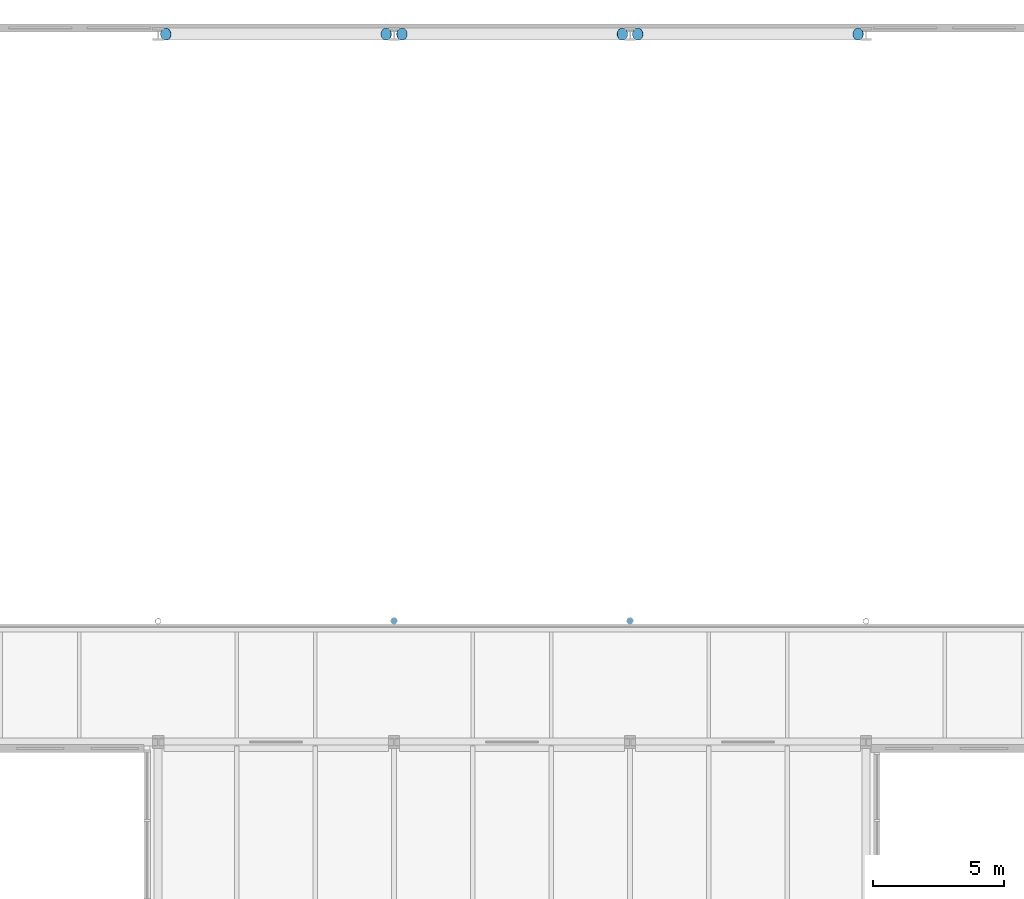
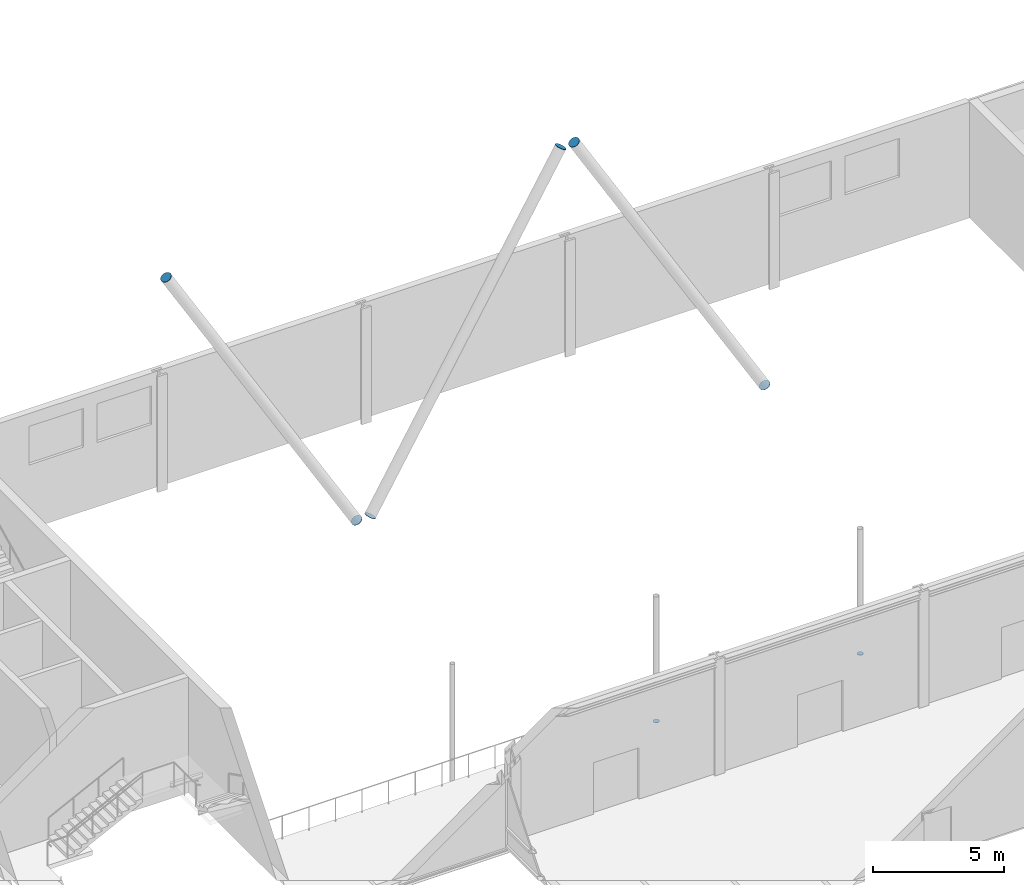
# One storey, part 41 of 46: 8 discrete accessories.
"""IFC4 building model written with IfcOpenShell, lengths in metres."""

from ifc_helpers import new_model, si_unit, direction, frame, origin, origin_2d, place, context, subcontext, project, spatial, circle, extrude, material, material_profile, profile_set, type_object, element, save


model = new_model("IFC4")

# Units and contexts
model_context = context("Model", 3, precision=1e-05, world=origin(), true_north=direction((0.0, 1.0)))
body_context = subcontext(model_context, "Body", "Model", "MODEL_VIEW")
ifc_project = project(units=[si_unit("LENGTHUNIT", "METRE"), si_unit("AREAUNIT", "SQUARE_METRE"), si_unit("VOLUMEUNIT", "CUBIC_METRE"), si_unit("PLANEANGLEUNIT", "RADIAN"), si_unit("MASSUNIT", "GRAM", prefix="KILO")], contexts=[model_context])

# Site, building, storey
site_placement = place(None, origin())
site = spatial("IfcSite", under=ifc_project, at=site_placement, CompositionType="ELEMENT")
building_placement = place(site_placement, origin())
building = spatial("IfcBuilding", under=site, at=building_placement, Name="Azimuth Sports and Learning Centre", CompositionType="ELEMENT")
storey_placement = place(building_placement, frame((0.0, 0.0, 21.60009765625)))
storey = spatial("IfcBuildingStorey", under=building, at=storey_placement, Name="L04", CompositionType="ELEMENT", Elevation=21.60009765625)

# Discrete accessories
ifc_material_1 = material(Name="Steel S355", Category="steel")
ifc_material_profile_1 = material_profile(ifc_material_1, circle(Radius=0.122314453125, at=origin_2d()), Name="PL 244 DISC")
ifc_profile_set_1 = profile_set([ifc_material_profile_1], Name="Steel S355")
discrete_accessory_type_1 = type_object("IfcDiscreteAccessoryType", Name="End plate CHS 244.5x12.5", PredefinedType="USERDEFINED", material=ifc_profile_set_1)
for number, where, z_axis, x_axis, name in (
    (1, (81.0, 94.622314453125, -0.4501953125), (0.0, 0.0, -1.0), (1.0, 0.0, 0.0), "End plate Gallery hanger TT-2"),
    (2, (90.0, 94.622314453125, -0.4501953125), (0.0, 0.0, -1.0), (1.0, 0.0, 0.0), "End plate Gallery hanger TT-3"),
):
    element("IfcDiscreteAccessory", number, at=place(storey_placement, frame(where, z_axis=z_axis, x_axis=x_axis)), inside=storey, type_object=discrete_accessory_type_1, Name=name, ObjectType="END PLATE", PredefinedType="USERDEFINED", context=body_context, shape_type="SweptSolid", body=[
        extrude(circle(Radius=0.122314453125, at=origin_2d()), origin(), (0.0, 0.0, 1.0), 0.02001953125),
    ])
ifc_material_2 = material(Name="Steel S355", Category="steel")
ifc_material_profile_2 = material_profile(ifc_material_2, circle(Radius=0.228515625, at=origin_2d()), Name="PL 457 DISC")
ifc_profile_set_2 = profile_set([ifc_material_profile_2], Name="Steel S355")
discrete_accessory_type_2 = type_object("IfcDiscreteAccessoryType", Name="End plate CHS 457x16.0", PredefinedType="USERDEFINED", material=ifc_profile_set_2)
for number, where, z_axis, x_axis, name in (
    (3, (80.695556640625, 117.0, -4.550048828125), (0.514495755428, 0.0, -0.857492925713), (0.0, 1.0, 0.0), "End plate Hall brace 9-10 L04 lower end"),
    (4, (72.300537109375, 117.0, 9.69970703125), (-0.509137664008, 0.0, 0.860685098679), (0.0, -1.0, 0.0), "End plate Hall brace 9-10 L04 upper end"),
    (5, (81.304443359375, 117.0, -4.550048828125), (-0.514495755428, 0.0, -0.857492925713), (0.0, -1.0, 0.0), "End plate Hall brace 10-11 L04 lower end"),
    (6, (89.699462890625, 117.0, 9.69970703125), (0.509137664008, 0.0, 0.860685098679), (0.0, 1.0, 0.0), "End plate Hall brace 10-11 L04 upper end"),
    (7, (98.695556640625, 117.0, -4.550048828125), (0.514495755428, 0.0, -0.857492925713), (0.0, 1.0, 0.0), "End plate Hall brace 11-12 L04 lower end"),
    (8, (90.300537109375, 117.0, 9.69970703125), (-0.509137664008, 0.0, 0.860685098679), (0.0, -1.0, 0.0), "End plate Hall brace 11-12 L04 upper end"),
):
    element("IfcDiscreteAccessory", number, at=place(storey_placement, frame(where, z_axis=z_axis, x_axis=x_axis)), inside=storey, type_object=discrete_accessory_type_2, Name=name, ObjectType="END PLATE", PredefinedType="USERDEFINED", context=body_context, shape_type="SweptSolid", body=[
        extrude(circle(Radius=0.228515625, at=origin_2d()), origin(), (0.0, 0.0, 1.0), 0.02001953125),
    ])

save(model, "model.ifc")
